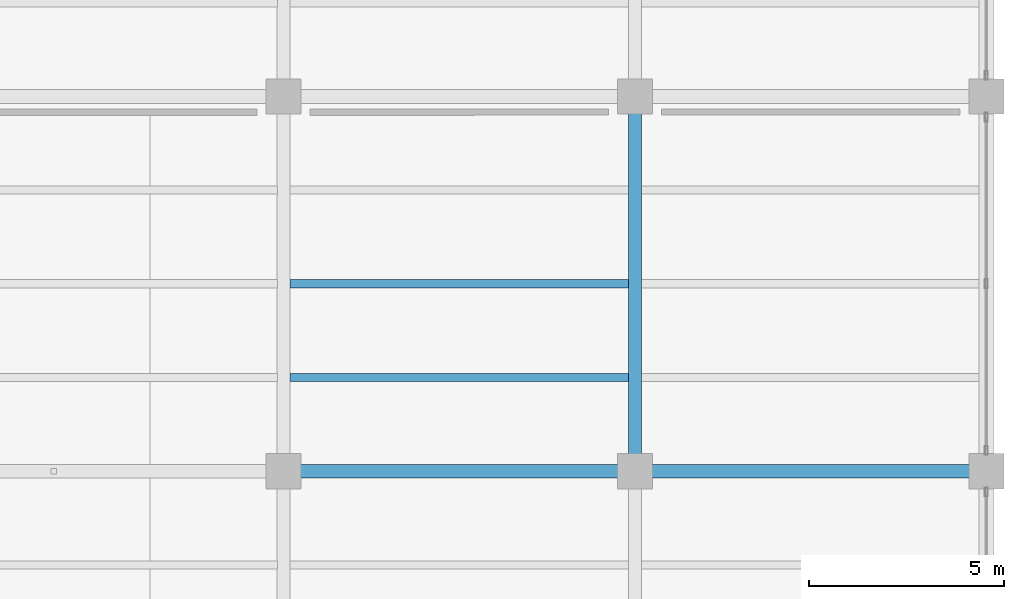
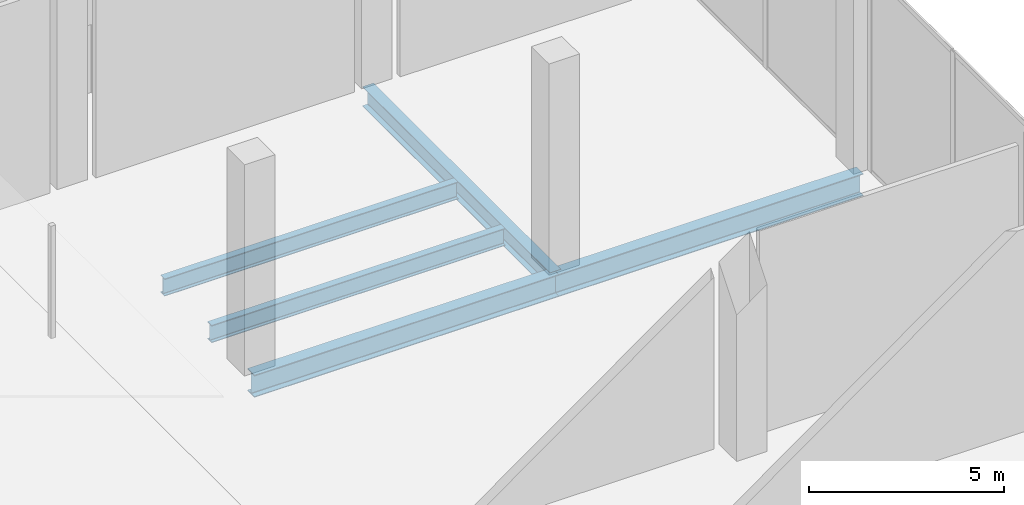
# One storey, part 17 of 45: 5 beams.
"""IFC4 building model written with IfcOpenShell, lengths in metres."""

from ifc_helpers import new_model, si_unit, direction, frame, origin, origin_2d, place, context, subcontext, project, spatial, i_section, extrude, material, material_profile, profile_set, type_object, element, save


model = new_model("IFC4")

# Units and contexts
model_context = context("Model", 3, precision=1e-05, world=origin(), true_north=direction((0.0, 1.0)))
body_context = subcontext(model_context, "Body", "Model", "MODEL_VIEW")
ifc_project = project(units=[si_unit("LENGTHUNIT", "METRE"), si_unit("AREAUNIT", "SQUARE_METRE"), si_unit("VOLUMEUNIT", "CUBIC_METRE"), si_unit("PLANEANGLEUNIT", "RADIAN"), si_unit("MASSUNIT", "GRAM", prefix="KILO")], contexts=[model_context])

# Site, building, storey
site_placement = place(None, origin())
site = spatial("IfcSite", under=ifc_project, at=site_placement, CompositionType="ELEMENT")
building_placement = place(site_placement, origin())
building = spatial("IfcBuilding", under=site, at=building_placement, Name="Qorvath Tower", CompositionType="ELEMENT")
storey_placement = place(building_placement, origin())
storey = spatial("IfcBuildingStorey", under=building, at=storey_placement, Name="L00", CompositionType="ELEMENT", Elevation=0.0)

# Beams
ifc_material_1 = material(Name="Steel ASTM A992 Grade 50", Category="steel")
ifc_material_profile_1 = material_profile(ifc_material_1, i_section(OverallWidth=0.35595703125, OverallDepth=0.696044921875, WebThickness=0.015380859375, FlangeThickness=0.02490234375, FilletRadius=0.01806640625, at=origin_2d()), Name="W27x146")
ifc_profile_set_1 = profile_set([ifc_material_profile_1], Name="Steel ASTM A992 Grade 50")
beam_type_1 = type_object("IfcBeamType", Name="BM-FG4", PredefinedType="BEAM", material=ifc_profile_set_1)
for number, where, z_axis, x_axis, name in (
    (1, (59.39990234375, 0.0, -0.64794921875), (1.0, 0.0, 0.0), (0.0, 1.0, 0.0), "Library E-W Girder L00-5-4"),
    (2, (68.39990234375, 0.0, -0.64794921875), (1.0, 0.0, 0.0), (0.0, 1.0, 0.0), "Library E-W Girder L00-5-5"),
):
    element("IfcBeam", number, at=place(storey_placement, frame(where, z_axis=z_axis, x_axis=x_axis)), inside=storey, type_object=beam_type_1, Name=name, PredefinedType="BEAM", context=body_context, shape_type="SweptSolid", body=[
        extrude(i_section(OverallWidth=0.35595703125, OverallDepth=0.696044921875, WebThickness=0.015380859375, FlangeThickness=0.02490234375, FilletRadius=0.01806640625, at=origin_2d()), origin(), (0.0, 0.0, 1.0), 9.0),
    ])
ifc_material_2 = material(Name="Steel ASTM A992 Grade 50", Category="steel")
ifc_material_profile_2 = material_profile(ifc_material_2, i_section(OverallWidth=0.324951171875, OverallDepth=0.615966796875, WebThickness=0.013916015625, FlangeThickness=0.021484375, FilletRadius=0.01611328125, at=origin_2d()), Name="W24x117")
ifc_profile_set_2 = profile_set([ifc_material_profile_2], Name="Steel ASTM A992 Grade 50")
beam_type_2 = type_object("IfcBeamType", Name="BM-FG5", PredefinedType="BEAM", material=ifc_profile_set_2)
beam_placement = place(storey_placement, frame((68.39990234375, 0.0, -0.60791015625), z_axis=(0.0, 1.0, 0.0), x_axis=(-1.0, 0.0, 0.0)))
element("IfcBeam", 3, at=beam_placement, inside=storey, type_object=beam_type_2, Name="Library N-S Girder L00-5-5", PredefinedType="BEAM", context=body_context, shape_type="SweptSolid", body=[
    extrude(i_section(OverallWidth=0.324951171875, OverallDepth=0.615966796875, WebThickness=0.013916015625, FlangeThickness=0.021484375, FilletRadius=0.01611328125, at=origin_2d()), origin(), (0.0, 0.0, 1.0), 9.60009765625),
])
ifc_material_3 = material(Name="Steel ASTM A992 Grade 50", Category="steel")
ifc_material_profile_3 = material_profile(ifc_material_3, i_section(OverallWidth=0.2119140625, OverallDepth=0.5439453125, WebThickness=0.01318359375, FlangeThickness=0.021240234375, FilletRadius=0.013916015625, at=origin_2d()), Name="W21x83")
ifc_profile_set_3 = profile_set([ifc_material_profile_3], Name="Steel ASTM A992 Grade 50")
beam_type_3 = type_object("IfcBeamType", Name="BM-FJ1", PredefinedType="JOIST", material=ifc_profile_set_3)
for number, where, z_axis, x_axis, name in (
    (4, (59.560546875, 2.39990234375, -0.572021484375), (1.0, 0.0, 0.0), (0.0, 1.0, 0.0), "Library Stack Joist L00-5.1-4"),
    (5, (59.560546875, 4.800048828125, -0.572021484375), (1.0, 0.0, 0.0), (0.0, 1.0, 0.0), "Library Stack Joist L00-5.2-4"),
):
    element("IfcBeam", number, at=place(storey_placement, frame(where, z_axis=z_axis, x_axis=x_axis)), inside=storey, type_object=beam_type_3, Name=name, PredefinedType="JOIST", context=body_context, shape_type="SweptSolid", body=[
        extrude(i_section(OverallWidth=0.2119140625, OverallDepth=0.5439453125, WebThickness=0.01318359375, FlangeThickness=0.021240234375, FilletRadius=0.013916015625, at=origin_2d()), origin(), (0.0, 0.0, 1.0), 8.678955078125),
    ])

save(model, "model.ifc")
